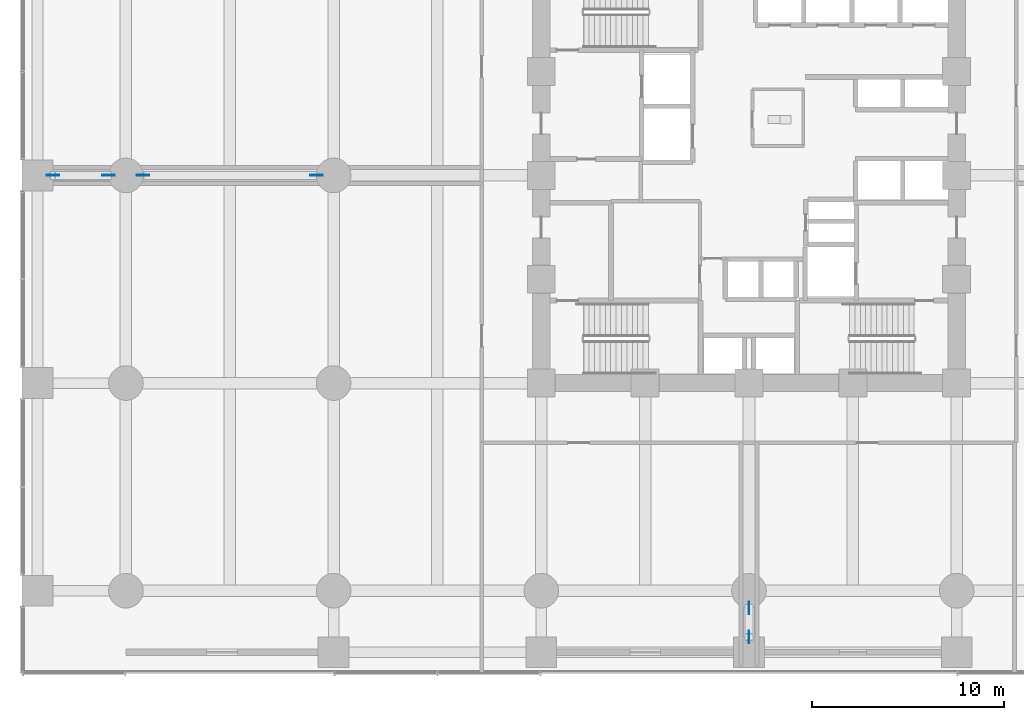
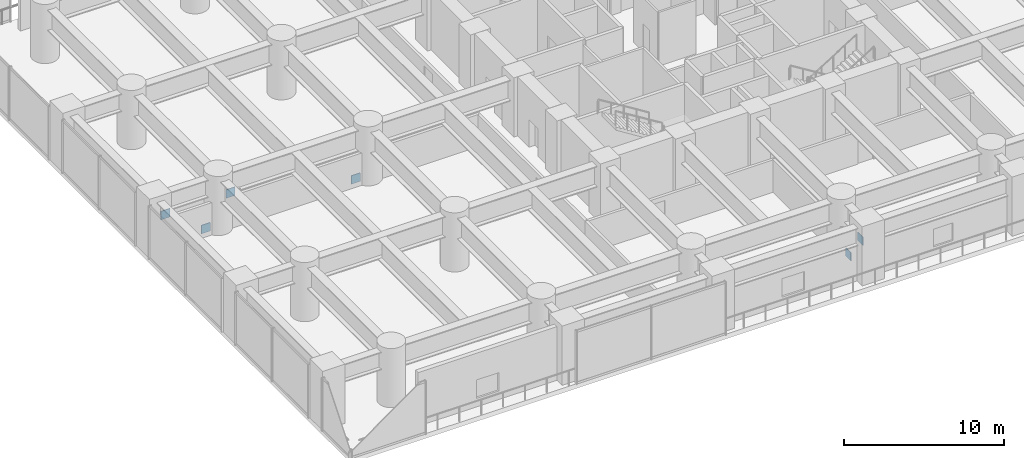
# One storey, part 27 of 37: 6 plates.
"""IFC4 building model written with IfcOpenShell, lengths in metres."""

from ifc_helpers import new_model, si_unit, direction, frame, origin, origin_2d, place, context, subcontext, project, spatial, rectangle, extrude, material, layer, layer_set, type_object, element, save


model = new_model("IFC4")

# Units and contexts
model_context = context("Model", 3, precision=1e-05, world=origin(), true_north=direction((0.0, 1.0)))
body_context = subcontext(model_context, "Body", "Model", "MODEL_VIEW")
ifc_project = project(units=[si_unit("LENGTHUNIT", "METRE"), si_unit("AREAUNIT", "SQUARE_METRE"), si_unit("VOLUMEUNIT", "CUBIC_METRE"), si_unit("PLANEANGLEUNIT", "RADIAN"), si_unit("MASSUNIT", "GRAM", prefix="KILO")], contexts=[model_context])

# Site, building, storey
site_placement = place(None, origin())
site = spatial("IfcSite", under=ifc_project, at=site_placement, CompositionType="ELEMENT")
building_placement = place(site_placement, origin())
building = spatial("IfcBuilding", under=site, at=building_placement, Name="Surkhivell Harbour Commons", CompositionType="ELEMENT")
storey_placement = place(building_placement, frame((0.0, 0.0, 18.0)))
storey = spatial("IfcBuildingStorey", under=building, at=storey_placement, Name="L04", CompositionType="ELEMENT", Elevation=18.0)

# Plates
ifc_material = material(Name="Steel S460", Category="steel")
ifc_layer = layer(ifc_material, 0.044921875)
ifc_layer_set = layer_set([ifc_layer], Name="Steel S460")
plate_type = type_object("IfcPlateType", Name="PLT-GUS-650", PredefinedType="USERDEFINED", material=ifc_layer_set)
for number, where, z_axis, x_axis, name in (
    (1, (0.0, -22.49609375, -0.06494140625), (0.0, 0.0, 1.0), (0.0, 1.0, 0.0), "L04 Transfer Truss Bottom Gusset TGP-02A"),
    (2, (0.0, -24.00390625, 2.025146484375), (0.0, 0.0, 1.0), (0.0, 1.0, 0.0), "L04 Transfer Truss Top Gusset TGP-02B"),
    (3, (-22.49609375, 0.0, -0.06494140625), (0.0, 0.0, 1.0), (1.0, 0.0, 0.0), "L04 Transfer Truss Bottom Gusset TGP-03A"),
    (4, (-31.50390625, 0.0, 2.025146484375), (0.0, 0.0, 1.0), (1.0, 0.0, 0.0), "L04 Transfer Truss Top Gusset TGP-03B"),
    (5, (-33.2958984375, 0.0, -0.06494140625), (0.0, 0.0, 1.0), (1.0, 0.0, 0.0), "L04 Transfer Truss Bottom Gusset TGP-04A"),
    (6, (-36.2041015625, 0.0, 2.025146484375), (0.0, 0.0, 1.0), (1.0, 0.0, 0.0), "L04 Transfer Truss Top Gusset TGP-04B"),
):
    element("IfcPlate", number, at=place(storey_placement, frame(where, z_axis=z_axis, x_axis=x_axis)), inside=storey, type_object=plate_type, Name=name, ObjectType="GUSSET_PLATE", PredefinedType="USERDEFINED", context=body_context, shape_type="SweptSolid", body=[
        extrude(rectangle(XDim=0.64990234375, YDim=0.044921875, at=origin_2d()), origin(), (0.0, 0.0, 1.0), 0.64990234375),
    ])

save(model, "model.ifc")
